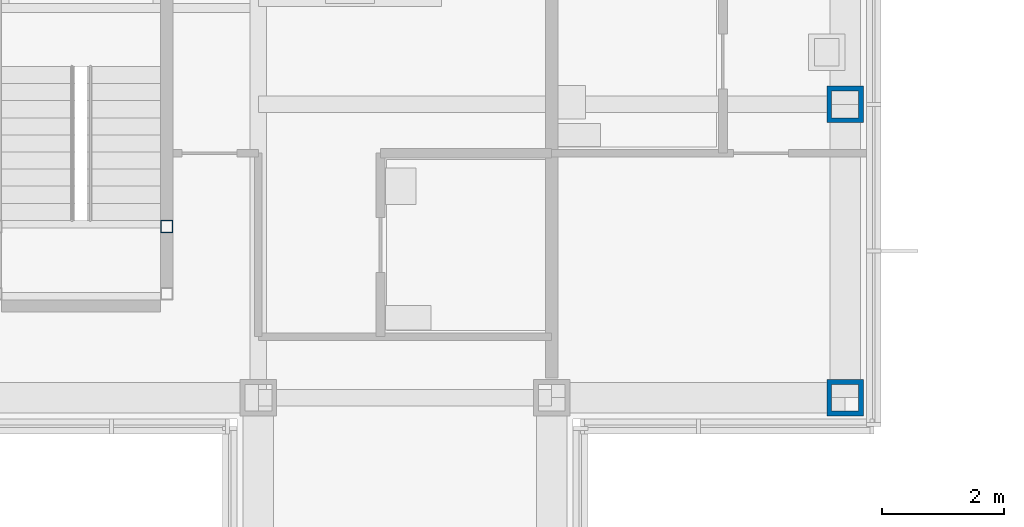
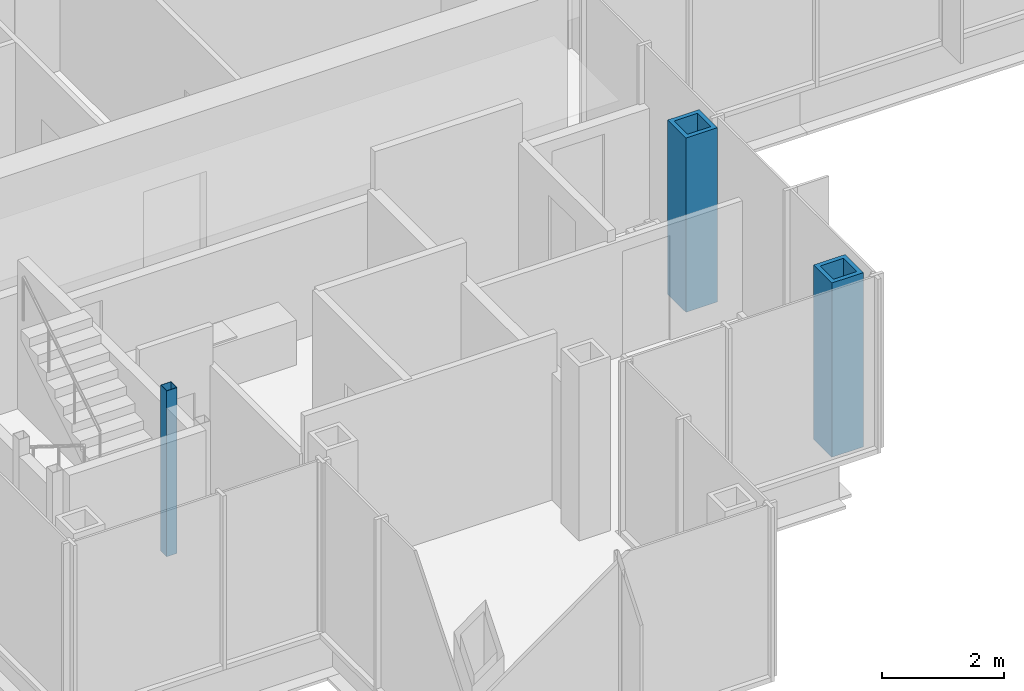
# One storey, part 2 of 17: 3 columns.
"""IFC4 building model written with IfcOpenShell, lengths in metres."""

from ifc_helpers import new_model, si_unit, direction, frame, origin, origin_2d, place, context, subcontext, project, spatial, hollow_rectangle, extrude, material, material_profile, profile_set, type_object, element, save


model = new_model("IFC4")

# Units and contexts
model_context = context("Model", 3, precision=1e-05, world=origin(), true_north=direction((0.0, 1.0)))
body_context = subcontext(model_context, "Body", "Model", "MODEL_VIEW")
ifc_project = project(units=[si_unit("LENGTHUNIT", "METRE"), si_unit("AREAUNIT", "SQUARE_METRE"), si_unit("VOLUMEUNIT", "CUBIC_METRE"), si_unit("PLANEANGLEUNIT", "RADIAN"), si_unit("MASSUNIT", "GRAM", prefix="KILO")], contexts=[model_context])

# Site, building, storey
site_placement = place(None, origin())
site = spatial("IfcSite", under=ifc_project, at=site_placement, CompositionType="ELEMENT")
building_placement = place(site_placement, origin())
building = spatial("IfcBuilding", under=site, at=building_placement, Name="Kvirike Care Tower", CompositionType="ELEMENT")
storey_placement = place(building_placement, frame((0.0, 0.0, 144.5)))
storey = spatial("IfcBuildingStorey", under=building, at=storey_placement, Name="L39", CompositionType="ELEMENT", Elevation=144.5)

# Columns
ifc_material_1 = material(Name="Steel S460", Category="steel")
ifc_material_profile_1 = material_profile(ifc_material_1, hollow_rectangle(XDim=0.60009765625, YDim=0.60009765625, WallThickness=0.080078125, at=origin_2d()), Name="BX 600x600x80")
ifc_profile_set_1 = profile_set([ifc_material_profile_1], Name="Steel S460")
column_type_1 = type_object("IfcColumnType", Name="COLUMN BX 600x600x80", PredefinedType="COLUMN", material=ifc_profile_set_1)
for number, where, z_axis, x_axis, name in (
    (1, (28.800048828125, 19.199951171875, 0.0), (0.0, 0.0, 1.0), (0.0, 1.0, 0.0), "Column E9 L39"),
    (2, (28.800048828125, 24.0, 0.0), (0.0, 0.0, 1.0), (1.0, 0.0, 0.0), "Column F9 L39"),
):
    element("IfcColumn", number, at=place(storey_placement, frame(where, z_axis=z_axis, x_axis=x_axis)), inside=storey, type_object=column_type_1, Name=name, PredefinedType="COLUMN", context=body_context, shape_type="SweptSolid", body=[
        extrude(hollow_rectangle(XDim=0.60009765625, YDim=0.60009765625, WallThickness=0.080078125, at=origin_2d()), origin(), (0.0, 0.0, 1.0), 3.5),
    ])
ifc_material_2 = material(Name="Steel S460", Category="steel")
ifc_material_profile_2 = material_profile(ifc_material_2, hollow_rectangle(XDim=0.199951171875, YDim=0.199951171875, WallThickness=0.008056640625, at=origin_2d()), Name="SHS 200x200x8")
ifc_profile_set_2 = profile_set([ifc_material_profile_2], Name="Steel S460")
column_type_2 = type_object("IfcColumnType", Name="STAIR POST SHS 200x200x8", PredefinedType="COLUMN", material=ifc_profile_set_2)
column_placement = place(storey_placement, frame((17.699951171875, 22.0, 0.0), z_axis=(0.0, 0.0, 1.0), x_axis=(1.0, 0.0, 0.0)))
element("IfcColumn", 3, at=column_placement, inside=storey, type_object=column_type_2, Name="Stair 5 post 4 L39", PredefinedType="COLUMN", context=body_context, shape_type="SweptSolid", body=[
    extrude(hollow_rectangle(XDim=0.199951171875, YDim=0.199951171875, WallThickness=0.008056640625, at=origin_2d()), origin(), (0.0, 0.0, 1.0), 3.330078125),
])

save(model, "model.ifc")
